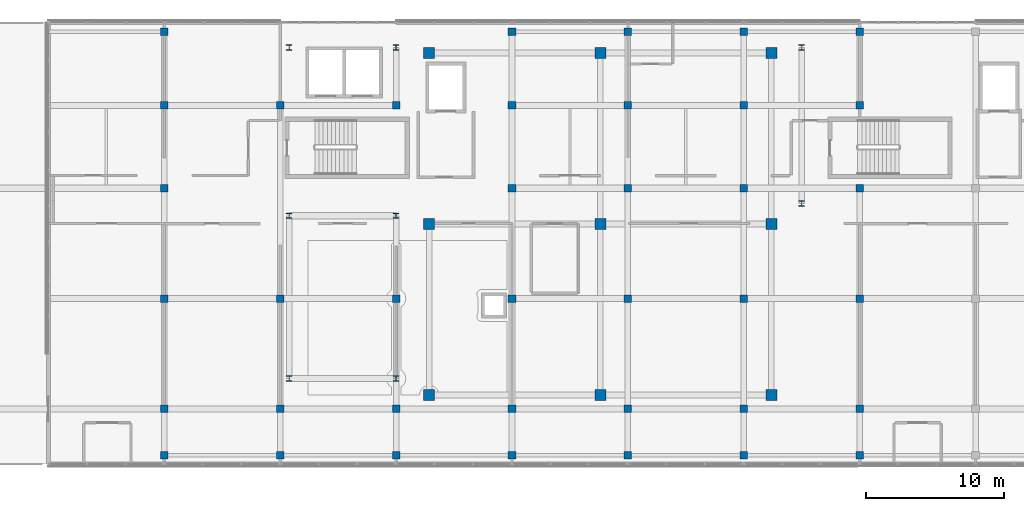
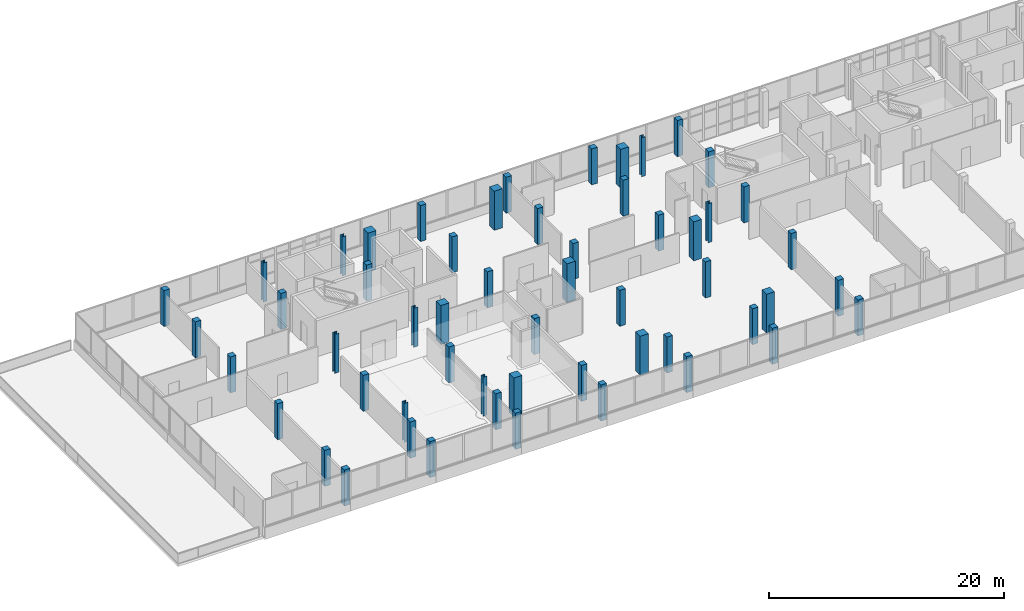
# One storey, part 1 of 67: 55 columns.
"""IFC4 building model written with IfcOpenShell, lengths in metres."""

from ifc_helpers import new_model, si_unit, direction, frame, origin, origin_2d, place, context, subcontext, project, spatial, rectangle, i_section, extrude, material, material_profile, profile_set, type_object, element, save


model = new_model("IFC4")

# Units and contexts
model_context = context("Model", 3, precision=1e-05, world=origin(), true_north=direction((0.0, 1.0)))
body_context = subcontext(model_context, "Body", "Model", "MODEL_VIEW")
ifc_project = project(units=[si_unit("LENGTHUNIT", "METRE"), si_unit("AREAUNIT", "SQUARE_METRE"), si_unit("VOLUMEUNIT", "CUBIC_METRE"), si_unit("PLANEANGLEUNIT", "RADIAN"), si_unit("MASSUNIT", "GRAM", prefix="KILO")], contexts=[model_context])

# Site, building, storey
site_placement = place(None, origin())
site = spatial("IfcSite", under=ifc_project, at=site_placement, CompositionType="ELEMENT")
building_placement = place(site_placement, origin())
building = spatial("IfcBuilding", under=site, at=building_placement, Name="Selatvlak General Hospital", CompositionType="ELEMENT")
storey_placement = place(building_placement, frame((0.0, 0.0, 35.39990234375)))
storey = spatial("IfcBuildingStorey", under=building, at=storey_placement, Name="L08", CompositionType="ELEMENT", Elevation=35.39990234375)

# Columns
ifc_material_1 = material(Name="Concrete C40/50", Category="concrete")
ifc_material_profile_1 = material_profile(ifc_material_1, rectangle(XDim=0.550048828125, YDim=0.550048828125, at=origin_2d()), Name="RC-COL 550x550")
ifc_profile_set_1 = profile_set([ifc_material_profile_1], Name="Concrete C40/50")
column_type_1 = type_object("IfcColumnType", Name="COL-RC55", PredefinedType="COLUMN", material=ifc_profile_set_1)
for number, where, z_axis, x_axis, name in (
    (1, (39.60009765625, 88.64990234375, 0.0), (0.0, 0.0, 1.0), (1.0, 0.0, 0.0), "Column 170 on L08"),
    (2, (39.60009765625, 92.0, 0.0), (0.0, 0.0, 1.0), (1.0, 0.0, 0.0), "Column 171 on L08"),
    (3, (39.60009765625, 100.0, 0.0), (0.0, 0.0, 1.0), (1.0, 0.0, 0.0), "Column 172 on L08"),
    (4, (39.60009765625, 108.0, 0.0), (0.0, 0.0, 1.0), (1.0, 0.0, 0.0), "Column 173 on L08"),
    (5, (39.60009765625, 114.0, 0.0), (0.0, 0.0, 1.0), (1.0, 0.0, 0.0), "Column 174 on L08"),
    (6, (39.60009765625, 119.35009765625, 0.0), (0.0, 0.0, 1.0), (1.0, 0.0, 0.0), "Column 175 on L08"),
    (7, (48.0, 88.64990234375, 0.0), (0.0, 0.0, 1.0), (1.0, 0.0, 0.0), "Column 177 on L08"),
    (8, (48.0, 92.0, 0.0), (0.0, 0.0, 1.0), (1.0, 0.0, 0.0), "Column 178 on L08"),
    (9, (48.0, 100.0, 0.0), (0.0, 0.0, 1.0), (1.0, 0.0, 0.0), "Column 179 on L08"),
    (10, (48.0, 114.0, 0.0), (0.0, 0.0, 1.0), (1.0, 0.0, 0.0), "Column 180 on L08"),
    (11, (56.39990234375, 88.64990234375, 0.0), (0.0, 0.0, 1.0), (1.0, 0.0, 0.0), "Column 181 on L08"),
    (12, (56.39990234375, 92.0, 0.0), (0.0, 0.0, 1.0), (1.0, 0.0, 0.0), "Column 182 on L08"),
    (13, (56.39990234375, 100.0, 0.0), (0.0, 0.0, 1.0), (1.0, 0.0, 0.0), "Column 183 on L08"),
    (14, (56.39990234375, 114.0, 0.0), (0.0, 0.0, 1.0), (1.0, 0.0, 0.0), "Column 184 on L08"),
    (15, (64.800048828125, 88.64990234375, 0.0), (0.0, 0.0, 1.0), (1.0, 0.0, 0.0), "Column 186 on L08"),
    (16, (64.800048828125, 92.0, 0.0), (0.0, 0.0, 1.0), (1.0, 0.0, 0.0), "Column 187 on L08"),
    (17, (64.800048828125, 100.0, 0.0), (0.0, 0.0, 1.0), (1.0, 0.0, 0.0), "Column 188 on L08"),
    (18, (64.800048828125, 108.0, 0.0), (0.0, 0.0, 1.0), (1.0, 0.0, 0.0), "Column 189 on L08"),
    (19, (64.800048828125, 114.0, 0.0), (0.0, 0.0, 1.0), (1.0, 0.0, 0.0), "Column 190 on L08"),
    (20, (64.800048828125, 119.35009765625, 0.0), (0.0, 0.0, 1.0), (1.0, 0.0, 0.0), "Column 191 on L08"),
    (21, (73.199951171875, 88.64990234375, 0.0), (0.0, 0.0, 1.0), (1.0, 0.0, 0.0), "Column 192 on L08"),
    (22, (73.199951171875, 92.0, 0.0), (0.0, 0.0, 1.0), (1.0, 0.0, 0.0), "Column 193 on L08"),
    (23, (73.199951171875, 100.0, 0.0), (0.0, 0.0, 1.0), (1.0, 0.0, 0.0), "Column 194 on L08"),
    (24, (73.199951171875, 108.0, 0.0), (0.0, 0.0, 1.0), (1.0, 0.0, 0.0), "Column 195 on L08"),
    (25, (73.199951171875, 114.0, 0.0), (0.0, 0.0, 1.0), (1.0, 0.0, 0.0), "Column 196 on L08"),
    (26, (73.199951171875, 119.35009765625, 0.0), (0.0, 0.0, 1.0), (1.0, 0.0, 0.0), "Column 197 on L08"),
    (27, (81.60009765625, 88.64990234375, 0.0), (0.0, 0.0, 1.0), (1.0, 0.0, 0.0), "Column 201 on L08"),
    (28, (81.60009765625, 92.0, 0.0), (0.0, 0.0, 1.0), (1.0, 0.0, 0.0), "Column 202 on L08"),
    (29, (81.60009765625, 100.0, 0.0), (0.0, 0.0, 1.0), (1.0, 0.0, 0.0), "Column 203 on L08"),
    (30, (81.60009765625, 108.0, 0.0), (0.0, 0.0, 1.0), (1.0, 0.0, 0.0), "Column 204 on L08"),
    (31, (81.60009765625, 114.0, 0.0), (0.0, 0.0, 1.0), (1.0, 0.0, 0.0), "Column 205 on L08"),
    (32, (81.60009765625, 119.35009765625, 0.0), (0.0, 0.0, 1.0), (1.0, 0.0, 0.0), "Column 206 on L08"),
    (33, (90.0, 88.64990234375, 0.0), (0.0, 0.0, 1.0), (1.0, 0.0, 0.0), "Column 210 on L08"),
    (34, (90.0, 92.0, 0.0), (0.0, 0.0, 1.0), (1.0, 0.0, 0.0), "Column 211 on L08"),
    (35, (90.0, 100.0, 0.0), (0.0, 0.0, 1.0), (1.0, 0.0, 0.0), "Column 212 on L08"),
    (36, (90.0, 108.0, 0.0), (0.0, 0.0, 1.0), (1.0, 0.0, 0.0), "Column 213 on L08"),
    (37, (90.0, 114.0, 0.0), (0.0, 0.0, 1.0), (1.0, 0.0, 0.0), "Column 214 on L08"),
    (38, (90.0, 119.35009765625, 0.0), (0.0, 0.0, 1.0), (1.0, 0.0, 0.0), "Column 215 on L08"),
):
    element("IfcColumn", number, at=place(storey_placement, frame(where, z_axis=z_axis, x_axis=x_axis)), inside=storey, type_object=column_type_1, Name=name, PredefinedType="COLUMN", context=body_context, shape_type="SweptSolid", body=[
        extrude(rectangle(XDim=0.550048828125, YDim=0.550048828125, at=origin_2d()), origin(), (0.0, 0.0, 1.0), 3.739990234375),
    ])
ifc_material_2 = material(Name="Concrete C50/60", Category="concrete")
ifc_material_profile_2 = material_profile(ifc_material_2, rectangle(XDim=0.800048828125, YDim=0.800048828125, at=origin_2d()), Name="RC-COL 800x800")
ifc_profile_set_2 = profile_set([ifc_material_profile_2], Name="Concrete C50/60")
column_type_2 = type_object("IfcColumnType", Name="COL-RC80", PredefinedType="COLUMN", material=ifc_profile_set_2)
for number, where, z_axis, x_axis, name in (
    (39, (58.800048828125, 93.0, 0.0), (0.0, 0.0, 1.0), (1.0, 0.0, 0.0), "Column 037 on L08"),
    (40, (58.800048828125, 105.39990234375, 0.0), (0.0, 0.0, 1.0), (1.0, 0.0, 0.0), "Column 038 on L08"),
    (41, (58.800048828125, 117.800048828125, 0.0), (0.0, 0.0, 1.0), (1.0, 0.0, 0.0), "Column 039 on L08"),
    (42, (71.199951171875, 93.0, 0.0), (0.0, 0.0, 1.0), (1.0, 0.0, 0.0), "Column 040 on L08"),
    (43, (71.199951171875, 105.39990234375, 0.0), (0.0, 0.0, 1.0), (1.0, 0.0, 0.0), "Column 041 on L08"),
    (44, (71.199951171875, 117.800048828125, 0.0), (0.0, 0.0, 1.0), (1.0, 0.0, 0.0), "Column 042 on L08"),
    (45, (83.60009765625, 93.0, 0.0), (0.0, 0.0, 1.0), (1.0, 0.0, 0.0), "Column 043 on L08"),
    (46, (83.60009765625, 105.39990234375, 0.0), (0.0, 0.0, 1.0), (1.0, 0.0, 0.0), "Column 044 on L08"),
    (47, (83.60009765625, 117.800048828125, 0.0), (0.0, 0.0, 1.0), (1.0, 0.0, 0.0), "Column 045 on L08"),
):
    element("IfcColumn", number, at=place(storey_placement, frame(where, z_axis=z_axis, x_axis=x_axis)), inside=storey, type_object=column_type_2, Name=name, PredefinedType="COLUMN", context=body_context, shape_type="SweptSolid", body=[
        extrude(rectangle(XDim=0.800048828125, YDim=0.800048828125, at=origin_2d()), origin(), (0.0, 0.0, 1.0), 4.050048828125),
    ])
ifc_material_3 = material(Name="Steel S355", Category="steel")
ifc_material_profile_3 = material_profile(ifc_material_3, i_section(OverallWidth=0.394775390625, OverallDepth=0.381103515625, WebThickness=0.018310546875, FlangeThickness=0.0302734375, at=origin_2d()), Name="UC 356x406x235")
ifc_profile_set_3 = profile_set([ifc_material_profile_3], Name="Steel S355")
column_type_3 = type_object("IfcColumnType", Name="COL-UC356", PredefinedType="COLUMN", material=ifc_profile_set_3)
for number, where, z_axis, x_axis, name in (
    (48, (48.64990234375, 94.199951171875, 0.0), (0.0, 0.0, 1.0), (1.0, 0.0, 0.0), "Column 046 on L08"),
    (49, (56.39990234375, 94.199951171875, 0.0), (0.0, 0.0, 1.0), (1.0, 0.0, 0.0), "Column 047 on L08"),
    (50, (48.64990234375, 106.0, 0.0), (0.0, 0.0, 1.0), (1.0, 0.0, 0.0), "Column 048 on L08"),
    (51, (56.39990234375, 106.0, 0.0), (0.0, 0.0, 1.0), (1.0, 0.0, 0.0), "Column 049 on L08"),
    (52, (48.64990234375, 118.199951171875, 0.0), (0.0, 0.0, 1.0), (1.0, 0.0, 0.0), "Column 050 on L08"),
    (53, (56.39990234375, 118.199951171875, 0.0), (0.0, 0.0, 1.0), (1.0, 0.0, 0.0), "Column 051 on L08"),
    (54, (85.800048828125, 106.89990234375, 0.0), (0.0, 0.0, 1.0), (1.0, 0.0, 0.0), "Column 052 on L08"),
    (55, (85.800048828125, 118.199951171875, 0.0), (0.0, 0.0, 1.0), (1.0, 0.0, 0.0), "Column 057 on L08"),
):
    element("IfcColumn", number, at=place(storey_placement, frame(where, z_axis=z_axis, x_axis=x_axis)), inside=storey, type_object=column_type_3, Name=name, PredefinedType="COLUMN", context=body_context, shape_type="SweptSolid", body=[
        extrude(i_section(OverallWidth=0.394775390625, OverallDepth=0.381103515625, WebThickness=0.018310546875, FlangeThickness=0.0302734375, at=origin_2d()), origin(), (0.0, 0.0, 1.0), 4.050048828125),
    ])

save(model, "model.ifc")
